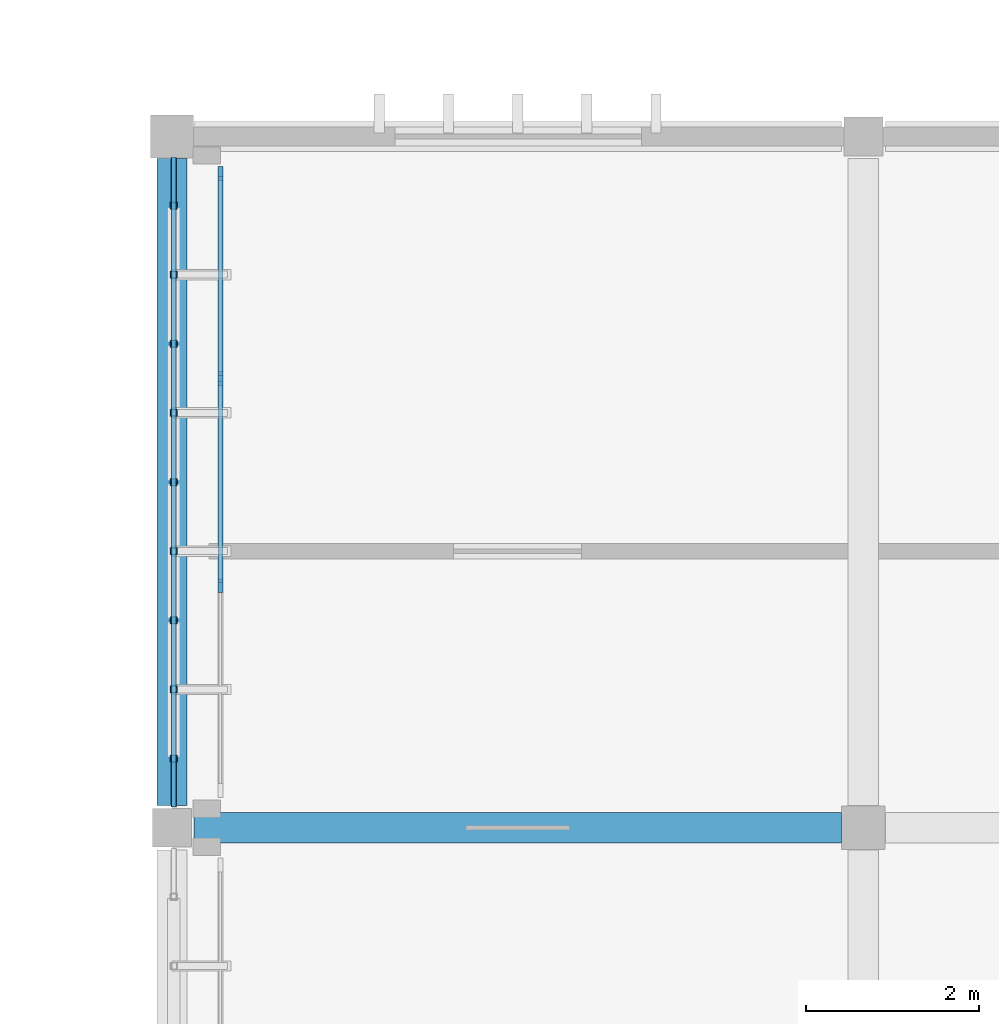
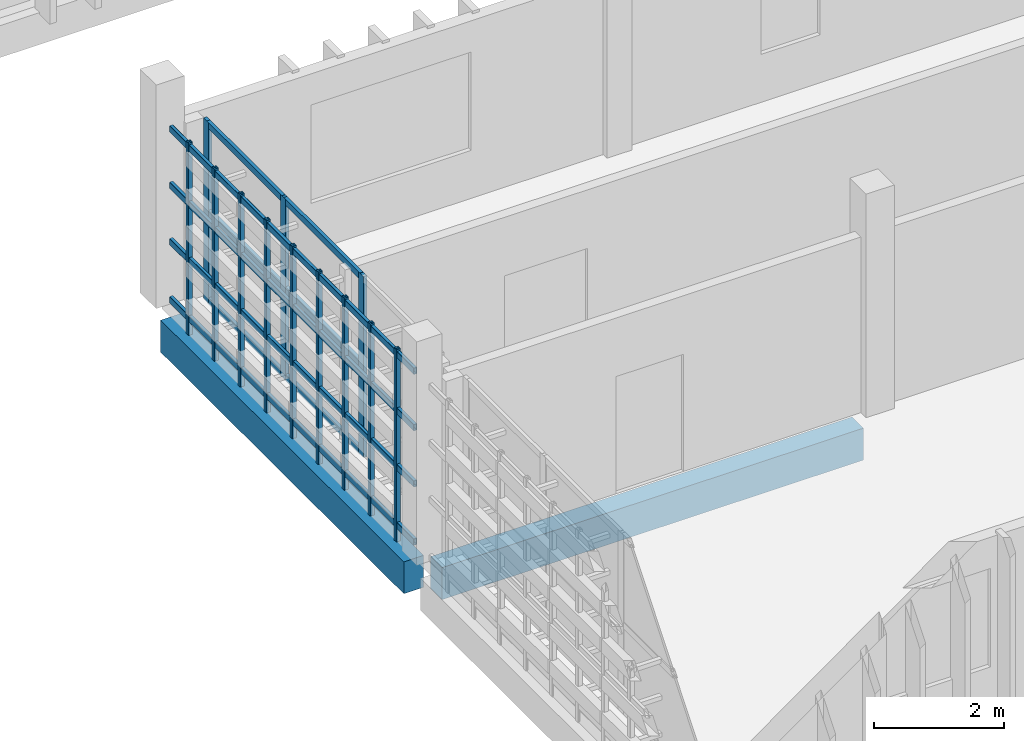
# One storey, part 8 of 32: 22 members, 2 beams, 1 element without a shape of its own.
"""IFC4 building model written with IfcOpenShell, lengths in metres."""

from ifc_helpers import new_model, si_unit, direction, frame, origin, origin_2d, place, context, subcontext, project, spatial, rectangle, hollow_rectangle, extrude, material, layer, layer_set, material_profile, profile_set, type_object, element, aggregate, save


model = new_model("IFC4")

# Units and contexts
model_context = context("Model", 3, precision=1e-05, world=origin(), true_north=direction((0.0, 1.0)))
body_context = subcontext(model_context, "Body", "Model", "MODEL_VIEW")
ifc_project = project(units=[si_unit("LENGTHUNIT", "METRE"), si_unit("AREAUNIT", "SQUARE_METRE"), si_unit("VOLUMEUNIT", "CUBIC_METRE"), si_unit("PLANEANGLEUNIT", "RADIAN"), si_unit("MASSUNIT", "GRAM", prefix="KILO")], contexts=[model_context])

# Site, building, storey
site_placement = place(None, origin())
site = spatial("IfcSite", under=ifc_project, at=site_placement, CompositionType="ELEMENT")
building_placement = place(site_placement, origin())
building = spatial("IfcBuilding", under=site, at=building_placement, Name="Jelvoka-Kovrelna Polytechnic", CompositionType="ELEMENT")
storey_placement = place(building_placement, frame((0.0, 0.0, 26.39990234375)))
storey = spatial("IfcBuildingStorey", under=building, at=storey_placement, Name="L07", CompositionType="ELEMENT", Elevation=26.39990234375)

# Beams
ifc_material_1 = material(Name="Concrete C35/45", Category="concrete")
ifc_material_profile_1 = material_profile(ifc_material_1, rectangle(XDim=0.35009765625, YDim=0.60009765625, at=origin_2d()), Name="RC 350x600")
ifc_profile_set_1 = profile_set([ifc_material_profile_1], Name="Concrete C35/45")
beam_type = type_object("IfcBeamType", Name="Beam_RC_350x600", PredefinedType="BEAM", material=ifc_profile_set_1)
for number, where, z_axis, x_axis, name in (
    (1, (128.2548828125, 40.0, -0.539794921875), (1.0, 0.0, 0.0), (0.0, 1.0, 0.0), "L07 beam 1798"),
    (2, (128.0, 40.2548828125, -0.539794921875), (0.0, 1.0, 0.0), (-1.0, 0.0, 0.0), "L07 beam 1812"),
):
    element("IfcBeam", number, at=place(storey_placement, frame(where, z_axis=z_axis, x_axis=x_axis)), inside=storey, type_object=beam_type, Name=name, PredefinedType="BEAM", context=body_context, shape_type="SweptSolid", body=[
        extrude(rectangle(XDim=0.35009765625, YDim=0.60009765625, at=origin_2d()), origin(), (0.0, 0.0, 1.0), 7.490234375),
    ])

# Members
ifc_material_2 = material(Name="Structural steel S355J2H", Category="steel")
ifc_material_profile_2 = material_profile(ifc_material_2, hollow_rectangle(XDim=0.06005859375, YDim=0.1201171875, WallThickness=0.0048828125, InnerFilletRadius=0.0048828125, OuterFilletRadius=0.007568359375, at=origin_2d()), Name="120x60x5.0 RHS")
ifc_profile_set_2 = profile_set([ifc_material_profile_2], Name="Structural steel S355J2H")
member_type_1 = type_object("IfcMemberType", Name="Member_Strut_RHS120", PredefinedType="STRUT", material=ifc_profile_set_2)
for number, where, z_axis, x_axis, name in (
    (3, (128.02001953125, 40.239990234375, 0.080078125), (0.0, 1.0, 0.0), (-1.0, 0.0, 0.0), "L07 terracotta screen horizontal strut 0599"),
    (4, (128.02001953125, 40.239990234375, 1.17138671875), (0.0, 1.0, 0.0), (-1.0, 0.0, 0.0), "L07 terracotta screen horizontal strut 0600"),
    (5, (128.02001953125, 40.239990234375, 2.230712890625), (0.0, 1.0, 0.0), (-1.0, 0.0, 0.0), "L07 terracotta screen horizontal strut 0601"),
    (6, (128.02001953125, 40.239990234375, 3.2900390625), (0.0, 1.0, 0.0), (-1.0, 0.0, 0.0), "L07 terracotta screen horizontal strut 0602"),
):
    element("IfcMember", number, at=place(storey_placement, frame(where, z_axis=z_axis, x_axis=x_axis)), inside=storey, type_object=member_type_1, Name=name, PredefinedType="STRUT", context=body_context, shape_type="SweptSolid", body=[
        extrude(hollow_rectangle(XDim=0.06005859375, YDim=0.1201171875, WallThickness=0.0048828125, InnerFilletRadius=0.0048828125, OuterFilletRadius=0.007568359375, at=origin_2d()), origin(), (0.0, 0.0, 1.0), 7.52001953125),
    ])
ifc_material_3 = material(Name="Structural steel S355J2H", Category="steel")
ifc_material_profile_3 = material_profile(ifc_material_3, hollow_rectangle(XDim=0.080078125, YDim=0.080078125, WallThickness=0.0048828125, InnerFilletRadius=0.0048828125, OuterFilletRadius=0.007568359375, at=origin_2d()), Name="80x80x5.0 SHS")
ifc_profile_set_3 = profile_set([ifc_material_profile_3], Name="Structural steel S355J2H")
member_type_2 = type_object("IfcMemberType", Name="Member_Strut_SHS80", PredefinedType="STRUT", material=ifc_profile_set_3)
for number, where, z_axis, x_axis, name in (
    (7, (128.02001953125, 40.800048828125, -0.22998046875), (0.0, 0.0, 1.0), (1.0, 0.0, 0.0), "L07 terracotta lattice vertical rib 0603"),
    (8, (128.02001953125, 41.60009765625, -0.22998046875), (0.0, 0.0, 1.0), (1.0, 0.0, 0.0), "L07 terracotta lattice vertical rib 0604"),
    (9, (128.02001953125, 42.39990234375, -0.22998046875), (0.0, 0.0, 1.0), (1.0, 0.0, 0.0), "L07 terracotta lattice vertical rib 0605"),
    (10, (128.02001953125, 43.199951171875, -0.22998046875), (0.0, 0.0, 1.0), (1.0, 0.0, 0.0), "L07 terracotta lattice vertical rib 0606"),
    (11, (128.02001953125, 44.0, -0.22998046875), (0.0, 0.0, 1.0), (1.0, 0.0, 0.0), "L07 terracotta lattice vertical rib 0607"),
    (12, (128.02001953125, 44.800048828125, -0.22998046875), (0.0, 0.0, 1.0), (1.0, 0.0, 0.0), "L07 terracotta lattice vertical rib 0608"),
    (13, (128.02001953125, 45.60009765625, -0.22998046875), (0.0, 0.0, 1.0), (1.0, 0.0, 0.0), "L07 terracotta lattice vertical rib 0609"),
    (14, (128.02001953125, 46.39990234375, -0.22998046875), (0.0, 0.0, 1.0), (1.0, 0.0, 0.0), "L07 terracotta lattice vertical rib 0610"),
    (15, (128.02001953125, 47.199951171875, -0.22998046875), (0.0, 0.0, 1.0), (1.0, 0.0, 0.0), "L07 terracotta lattice vertical rib 0611"),
):
    element("IfcMember", number, at=place(storey_placement, frame(where, z_axis=z_axis, x_axis=x_axis)), inside=storey, type_object=member_type_2, Name=name, PredefinedType="STRUT", context=body_context, shape_type="SweptSolid", body=[
        extrude(hollow_rectangle(XDim=0.080078125, YDim=0.080078125, WallThickness=0.0048828125, InnerFilletRadius=0.0048828125, OuterFilletRadius=0.007568359375, at=origin_2d()), origin(), (0.0, 0.0, 1.0), 3.610107421875),
    ])

# Curtain wall, members
ifc_material_4 = material(Name="Anodised aluminium 6063-T6", Category="aluminium")
ifc_layer = layer(ifc_material_4, 0.159912109375)
ifc_layer_set = layer_set([ifc_layer], Name="Anodised aluminium 6063-T6")
curtain_wall_type = type_object("IfcCurtainWallType", Name="CW_Recessed_A", PredefinedType="NOTDEFINED", material=ifc_layer_set)
curtain_wall_placement = place(storey_placement, origin())
curtain_wall = element("IfcCurtainWall", 16, at=curtain_wall_placement, inside=storey, type_object=curtain_wall_type, Name="L07 glazed curtain wall 079", PredefinedType="NOTDEFINED")
ifc_material_5 = material(Name="Anodised aluminium 6063-T6", Category="aluminium")
ifc_material_profile_4 = material_profile(ifc_material_5, rectangle(XDim=0.06005859375, YDim=0.159912109375, at=origin_2d()), Name="ALU 60x160")
ifc_profile_set_4 = profile_set([ifc_material_profile_4], Name="Anodised aluminium 6063-T6")
member_type_3 = type_object("IfcMemberType", Name="Mullion_M-01", PredefinedType="MULLION", material=ifc_profile_set_4)
member_1_placement = place(storey_placement, frame((128.56005859375, 42.800048828125, -0.02490234375), z_axis=(0.0, 0.0, 1.0), x_axis=(-1.0, 0.0, 0.0)))
member_1 = element("IfcMember", 17, at=member_1_placement, type_object=member_type_3, Name="CW-01 mullion 2", PredefinedType="MULLION", context=body_context, shape_type="SweptSolid", body=[
    extrude(rectangle(XDim=0.06005859375, YDim=0.159912109375, at=origin_2d()), origin(), (0.0, 0.0, 1.0), 3.400146484375),
])
member_2_placement = place(storey_placement, frame((128.56005859375, 45.199951171875, -0.02490234375), z_axis=(0.0, 0.0, 1.0), x_axis=(-1.0, 0.0, 0.0)))
member_2 = element("IfcMember", 18, at=member_2_placement, type_object=member_type_3, Name="CW-01 mullion 3", PredefinedType="MULLION", context=body_context, shape_type="SweptSolid", body=[
    extrude(rectangle(XDim=0.06005859375, YDim=0.159912109375, at=origin_2d()), origin(), (0.0, 0.0, 1.0), 3.400146484375),
])
member_3_placement = place(storey_placement, frame((128.56005859375, 47.570068359375, -0.02490234375), z_axis=(0.0, 0.0, 1.0), x_axis=(-1.0, 0.0, 0.0)))
member_3 = element("IfcMember", 19, at=member_3_placement, type_object=member_type_3, Name="CW-01 mullion 4", PredefinedType="MULLION", context=body_context, shape_type="SweptSolid", body=[
    extrude(rectangle(XDim=0.06005859375, YDim=0.159912109375, at=origin_2d()), origin(), (0.0, 0.0, 1.0), 3.400146484375),
])
ifc_material_6 = material(Name="Anodised aluminium 6063-T6", Category="aluminium")
ifc_material_profile_5 = material_profile(ifc_material_6, rectangle(XDim=0.06005859375, YDim=0.1201171875, at=origin_2d()), Name="ALU 60x120")
ifc_profile_set_5 = profile_set([ifc_material_profile_5], Name="Anodised aluminium 6063-T6")
member_type_4 = type_object("IfcMemberType", Name="Transom_T-01", PredefinedType="USERDEFINED", material=ifc_profile_set_5)
member_4_placement = place(storey_placement, frame((128.56005859375, 42.830078125, 0.030029296875), z_axis=(0.0, 1.0, 0.0), x_axis=(-1.0, 0.0, 0.0)))
member_4 = element("IfcMember", 20, at=member_4_placement, type_object=member_type_4, Name="CW-01 transom 2.1", ObjectType="TRANSOM", PredefinedType="USERDEFINED", context=body_context, shape_type="SweptSolid", body=[
    extrude(rectangle(XDim=0.06005859375, YDim=0.1201171875, at=origin_2d()), origin(), (0.0, 0.0, 1.0), 2.33984375),
])
member_5_placement = place(storey_placement, frame((128.56005859375, 42.830078125, 1.675048828125), z_axis=(0.0, 1.0, 0.0), x_axis=(-1.0, 0.0, 0.0)))
member_5 = element("IfcMember", 21, at=member_5_placement, type_object=member_type_4, Name="CW-01 transom 2.2", ObjectType="TRANSOM", PredefinedType="USERDEFINED", context=body_context, shape_type="SweptSolid", body=[
    extrude(rectangle(XDim=0.06005859375, YDim=0.1201171875, at=origin_2d()), origin(), (0.0, 0.0, 1.0), 2.33984375),
])
member_6_placement = place(storey_placement, frame((128.56005859375, 42.830078125, 3.320068359375), z_axis=(0.0, 1.0, 0.0), x_axis=(-1.0, 0.0, 0.0)))
member_6 = element("IfcMember", 22, at=member_6_placement, type_object=member_type_4, Name="CW-01 transom 2.3", ObjectType="TRANSOM", PredefinedType="USERDEFINED", context=body_context, shape_type="SweptSolid", body=[
    extrude(rectangle(XDim=0.06005859375, YDim=0.1201171875, at=origin_2d()), origin(), (0.0, 0.0, 1.0), 2.33984375),
])
member_7_placement = place(storey_placement, frame((128.56005859375, 45.22998046875, 0.030029296875), z_axis=(0.0, 1.0, 0.0), x_axis=(-1.0, 0.0, 0.0)))
member_7 = element("IfcMember", 23, at=member_7_placement, type_object=member_type_4, Name="CW-01 transom 3.1", ObjectType="TRANSOM", PredefinedType="USERDEFINED", context=body_context, shape_type="SweptSolid", body=[
    extrude(rectangle(XDim=0.06005859375, YDim=0.1201171875, at=origin_2d()), origin(), (0.0, 0.0, 1.0), 2.31005859375),
])
member_8_placement = place(storey_placement, frame((128.56005859375, 45.22998046875, 1.675048828125), z_axis=(0.0, 1.0, 0.0), x_axis=(-1.0, 0.0, 0.0)))
member_8 = element("IfcMember", 24, at=member_8_placement, type_object=member_type_4, Name="CW-01 transom 3.2", ObjectType="TRANSOM", PredefinedType="USERDEFINED", context=body_context, shape_type="SweptSolid", body=[
    extrude(rectangle(XDim=0.06005859375, YDim=0.1201171875, at=origin_2d()), origin(), (0.0, 0.0, 1.0), 2.31005859375),
])
member_9_placement = place(storey_placement, frame((128.56005859375, 45.22998046875, 3.320068359375), z_axis=(0.0, 1.0, 0.0), x_axis=(-1.0, 0.0, 0.0)))
member_9 = element("IfcMember", 25, at=member_9_placement, type_object=member_type_4, Name="CW-01 transom 3.3", ObjectType="TRANSOM", PredefinedType="USERDEFINED", context=body_context, shape_type="SweptSolid", body=[
    extrude(rectangle(XDim=0.06005859375, YDim=0.1201171875, at=origin_2d()), origin(), (0.0, 0.0, 1.0), 2.31005859375),
])
aggregate(curtain_wall, [member_1, member_2, member_3, member_4, member_5, member_6, member_7, member_8, member_9])

save(model, "model.ifc")
